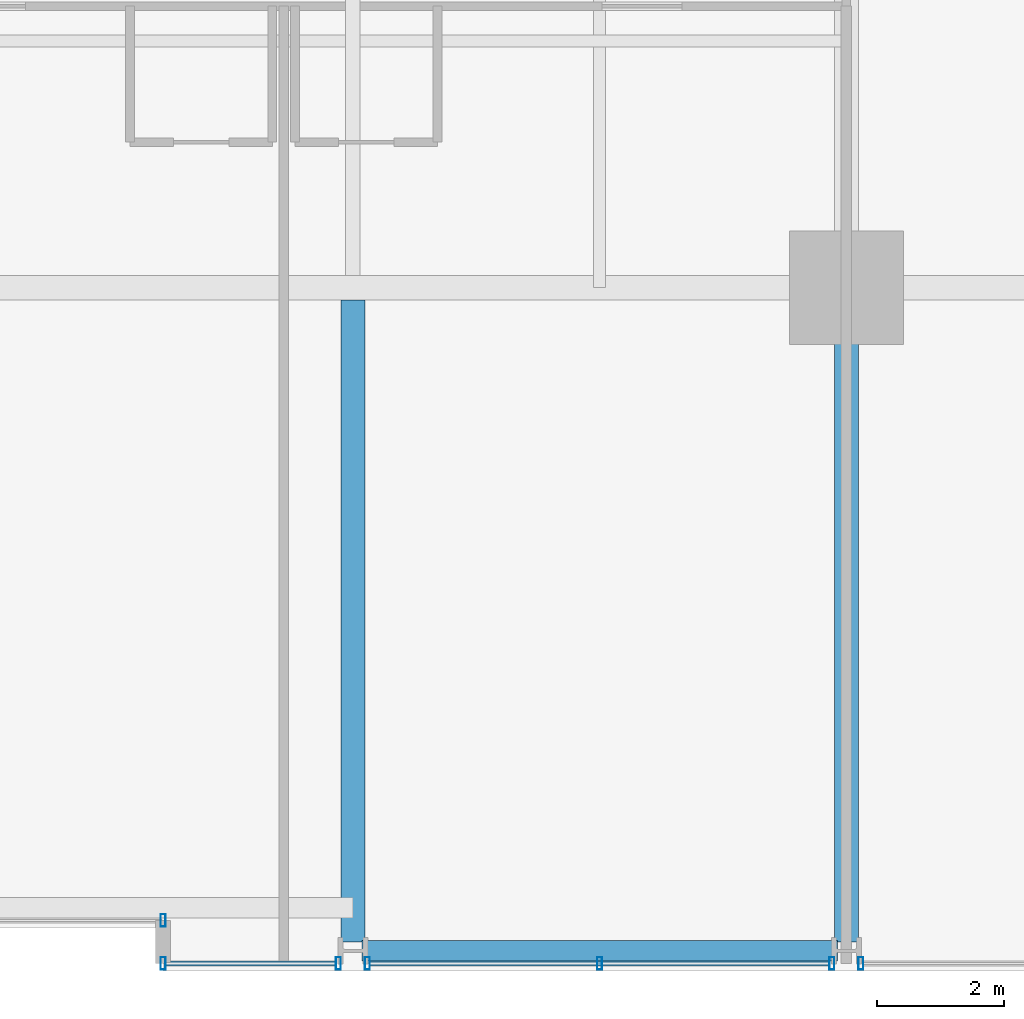
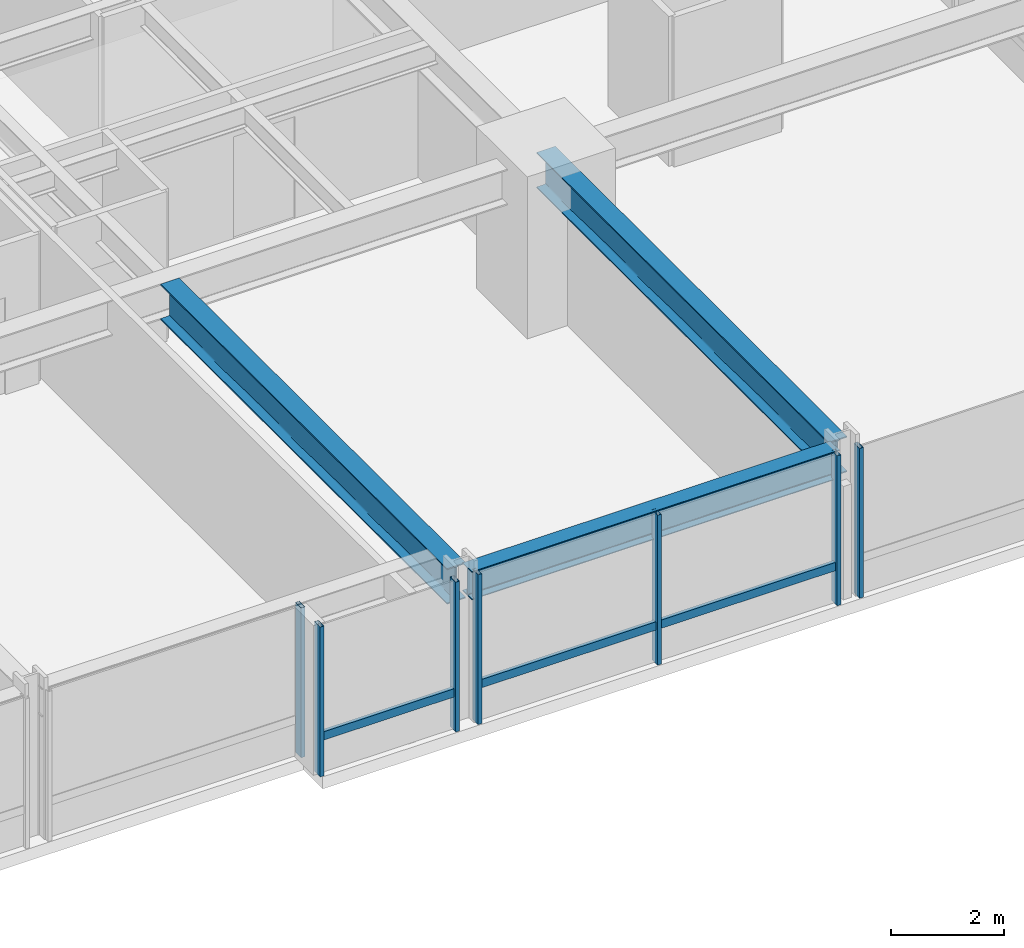
# One storey, part 11 of 37: 9 members, 3 beams, 4 elements without a shape of their own.
"""IFC4 building model written with IfcOpenShell, lengths in metres."""

from ifc_helpers import new_model, si_unit, direction, frame, origin, origin_2d, place, context, subcontext, project, spatial, hollow_rectangle, i_section, extrude, material, layer, layer_set, material_profile, profile_set, type_object, element, aggregate, save


model = new_model("IFC4")

# Units and contexts
model_context = context("Model", 3, precision=1e-05, world=origin(), true_north=direction((0.0, 1.0)))
body_context = subcontext(model_context, "Body", "Model", "MODEL_VIEW")
ifc_project = project(units=[si_unit("LENGTHUNIT", "METRE"), si_unit("AREAUNIT", "SQUARE_METRE"), si_unit("VOLUMEUNIT", "CUBIC_METRE"), si_unit("PLANEANGLEUNIT", "RADIAN"), si_unit("MASSUNIT", "GRAM", prefix="KILO")], contexts=[model_context])

# Site, building, storey
site_placement = place(None, origin())
site = spatial("IfcSite", under=ifc_project, at=site_placement, CompositionType="ELEMENT")
building_placement = place(site_placement, origin())
building = spatial("IfcBuilding", under=site, at=building_placement, Name="Drelvath Grand Hotel", CompositionType="ELEMENT")
storey_placement = place(building_placement, frame((0.0, 0.0, 75.199951171875)))
storey = spatial("IfcBuildingStorey", under=building, at=storey_placement, Name="L18", CompositionType="ELEMENT", Elevation=75.199951171875)

# Curtain wall, member
ifc_material_1 = material(Name="Warm Bronze Anodised Aluminium Frame", Category="aluminium")
ifc_layer = layer(ifc_material_1, 0.199951171875)
ifc_layer_set = layer_set([ifc_layer], Name="Warm Bronze Anodised Aluminium Frame")
curtain_wall_type = type_object("IfcCurtainWallType", Name="Stick Curtain Wall CW-02 Warm Bronze Low-Rise", PredefinedType="NOTDEFINED", material=ifc_layer_set)
curtain_wall_1_placement = place(storey_placement, origin())
curtain_wall_1 = element("IfcCurtainWall", 1, at=curtain_wall_1_placement, inside=storey, type_object=curtain_wall_type, Name="L18 CW-02 Curtain Wall CW02-L18-SE1", PredefinedType="NOTDEFINED")
ifc_material_profile_1 = material_profile(ifc_material_1, hollow_rectangle(XDim=0.074951171875, YDim=0.179931640625, WallThickness=0.0048828125, at=origin_2d()), Name="HSS180X75X5")
ifc_profile_set_1 = profile_set([ifc_material_profile_1], Name="Warm Bronze Anodised Aluminium Frame")
member_type_1 = type_object("IfcMemberType", Name="Curtain Wall Horizontal Transom CW-02 HSS180X75X5", PredefinedType="USERDEFINED", material=ifc_profile_set_1)
member_1_placement = place(storey_placement, frame((8.130859375, 0.1201171875, 0.81005859375), z_axis=(-1.0, 0.0, 0.0), x_axis=(0.0, -1.0, 0.0)))
member_1 = element("IfcMember", 2, at=member_1_placement, type_object=member_type_1, Name="CW02-L18-SE1 Sill Transom", ObjectType="TRANSOM", PredefinedType="USERDEFINED", context=body_context, shape_type="SweptSolid", body=[
    extrude(hollow_rectangle(XDim=0.074951171875, YDim=0.179931640625, WallThickness=0.0048828125, at=origin_2d()), origin(), (0.0, 0.0, 1.0), 2.69091796875),
])

curtain_wall_2_placement = place(storey_placement, origin())
curtain_wall_2 = element("IfcCurtainWall", 3, at=curtain_wall_2_placement, inside=storey, type_object=curtain_wall_type, Name="L18 CW-02 Curtain Wall CW02-L18-SE2", PredefinedType="NOTDEFINED")
member_2_placement = place(storey_placement, frame((15.930908203125, 0.1201171875, 0.81005859375), z_axis=(-1.0, 0.0, 0.0), x_axis=(0.0, -1.0, 0.0)))
member_2 = element("IfcMember", 4, at=member_2_placement, type_object=member_type_1, Name="CW02-L18-SE2 Sill Transom", ObjectType="TRANSOM", PredefinedType="USERDEFINED", context=body_context, shape_type="SweptSolid", body=[
    extrude(hollow_rectangle(XDim=0.074951171875, YDim=0.179931640625, WallThickness=0.0048828125, at=origin_2d()), origin(), (0.0, 0.0, 1.0), 7.26171875),
])

# Member
ifc_material_profile_2 = material_profile(ifc_material_1, hollow_rectangle(XDim=0.080078125, YDim=0.199951171875, WallThickness=0.0048828125, at=origin_2d()), Name="HSS200X80X5")
ifc_profile_set_2 = profile_set([ifc_material_profile_2], Name="Warm Bronze Anodised Aluminium Frame")
member_type_2 = type_object("IfcMemberType", Name="Curtain Wall Vertical Mullion CW-02 HSS200X80X5", PredefinedType="MULLION", material=ifc_profile_set_2)
member_3_placement = place(storey_placement, frame((8.1708984375, 0.1201171875, 0.0), z_axis=(0.0, 0.0, 1.0), x_axis=(1.0, 0.0, 0.0)))
member_3 = element("IfcMember", 5, at=member_3_placement, type_object=member_type_2, Name="CW02-L18-SE1 Mullion 1", PredefinedType="MULLION", context=body_context, shape_type="SweptSolid", body=[
    extrude(hollow_rectangle(XDim=0.080078125, YDim=0.199951171875, WallThickness=0.0048828125, at=origin_2d()), origin(), (0.0, 0.0, 1.0), 3.239990234375),
])

member_4_placement = place(storey_placement, frame((5.39990234375, 0.1201171875, 0.0), z_axis=(0.0, 0.0, 1.0), x_axis=(1.0, 0.0, 0.0)))
member_4 = element("IfcMember", 6, at=member_4_placement, type_object=member_type_2, Name="CW02-L18-SE1 Mullion 2", PredefinedType="MULLION", context=body_context, shape_type="SweptSolid", body=[
    extrude(hollow_rectangle(XDim=0.080078125, YDim=0.199951171875, WallThickness=0.0048828125, at=origin_2d()), origin(), (0.0, 0.0, 1.0), 3.239990234375),
])

aggregate(curtain_wall_1, [member_3, member_4, member_1])

member_5_placement = place(storey_placement, frame((15.970947265625, 0.1201171875, 0.0), z_axis=(0.0, 0.0, 1.0), x_axis=(1.0, 0.0, 0.0)))
member_5 = element("IfcMember", 7, at=member_5_placement, type_object=member_type_2, Name="CW02-L18-SE2 Mullion 1", PredefinedType="MULLION", context=body_context, shape_type="SweptSolid", body=[
    extrude(hollow_rectangle(XDim=0.080078125, YDim=0.199951171875, WallThickness=0.0048828125, at=origin_2d()), origin(), (0.0, 0.0, 1.0), 3.239990234375),
])

member_6_placement = place(storey_placement, frame((12.300048828125, 0.1201171875, 0.0), z_axis=(0.0, 0.0, 1.0), x_axis=(1.0, 0.0, 0.0)))
member_6 = element("IfcMember", 8, at=member_6_placement, type_object=member_type_2, Name="CW02-L18-SE2 Mullion 2", PredefinedType="MULLION", context=body_context, shape_type="SweptSolid", body=[
    extrude(hollow_rectangle(XDim=0.080078125, YDim=0.199951171875, WallThickness=0.0048828125, at=origin_2d()), origin(), (0.0, 0.0, 1.0), 3.239990234375),
])

member_7_placement = place(storey_placement, frame((8.629150390625, 0.1201171875, 0.0), z_axis=(0.0, 0.0, 1.0), x_axis=(1.0, 0.0, 0.0)))
member_7 = element("IfcMember", 9, at=member_7_placement, type_object=member_type_2, Name="CW02-L18-SE2 Mullion 3", PredefinedType="MULLION", context=body_context, shape_type="SweptSolid", body=[
    extrude(hollow_rectangle(XDim=0.080078125, YDim=0.199951171875, WallThickness=0.0048828125, at=origin_2d()), origin(), (0.0, 0.0, 1.0), 3.239990234375),
])

aggregate(curtain_wall_2, [member_5, member_6, member_7, member_2])

# Curtain wall, member
curtain_wall_3_placement = place(storey_placement, origin())
curtain_wall_3 = element("IfcCurtainWall", 10, at=curtain_wall_3_placement, inside=storey, type_object=curtain_wall_type, Name="L18 CW-02 Curtain Wall CW02-L18-SE3", PredefinedType="NOTDEFINED")
member_8_placement = place(storey_placement, frame((16.42919921875, 0.1201171875, 0.0), z_axis=(0.0, 0.0, 1.0), x_axis=(1.0, 0.0, 0.0)))
member_8 = element("IfcMember", 11, at=member_8_placement, type_object=member_type_2, Name="CW02-L18-SE3 Mullion 3", PredefinedType="MULLION", context=body_context, shape_type="SweptSolid", body=[
    extrude(hollow_rectangle(XDim=0.080078125, YDim=0.199951171875, WallThickness=0.0048828125, at=origin_2d()), origin(), (0.0, 0.0, 1.0), 3.239990234375),
])
aggregate(curtain_wall_3, [member_8])

curtain_wall_4_placement = place(storey_placement, origin())
curtain_wall_4 = element("IfcCurtainWall", 12, at=curtain_wall_4_placement, inside=storey, type_object=curtain_wall_type, Name="L18 CW-02 Curtain Wall CW02-L18-SM2", PredefinedType="NOTDEFINED")
member_9_placement = place(storey_placement, frame((5.39990234375, 0.800048828125, 0.0), z_axis=(0.0, 0.0, 1.0), x_axis=(1.0, 0.0, 0.0)))
member_9 = element("IfcMember", 13, at=member_9_placement, type_object=member_type_2, Name="CW02-L18-SM2 Mullion 1", PredefinedType="MULLION", context=body_context, shape_type="SweptSolid", body=[
    extrude(hollow_rectangle(XDim=0.080078125, YDim=0.199951171875, WallThickness=0.0048828125, at=origin_2d()), origin(), (0.0, 0.0, 1.0), 3.239990234375),
])
aggregate(curtain_wall_4, [member_9])

# Beams
ifc_material_2 = material(Name="Steel ASTM A992 Gr 50", Category="steel")
ifc_material_profile_3 = material_profile(ifc_material_2, i_section(OverallWidth=0.323974609375, OverallDepth=0.611083984375, WebThickness=0.0126953125, FlangeThickness=0.01904296875, FilletRadius=0.02197265625, at=origin_2d()), Name="W24X104")
ifc_profile_set_3 = profile_set([ifc_material_profile_3], Name="Steel ASTM A992 Gr 50")
beam_type_1 = type_object("IfcBeamType", Name="Perimeter Spandrel Beam W24X104", PredefinedType="SPANDREL", material=ifc_profile_set_3)
beam_1_placement = place(storey_placement, frame((8.5400390625, 0.320068359375, 2.9345703125), z_axis=(1.0, 0.0, 0.0), x_axis=(0.0, 1.0, 0.0)))
element("IfcBeam", 14, at=beam_1_placement, inside=storey, type_object=beam_type_1, Name="L18 Spandrel South E", PredefinedType="SPANDREL", context=body_context, shape_type="SweptSolid", body=[
    extrude(i_section(OverallWidth=0.323974609375, OverallDepth=0.611083984375, WebThickness=0.0126953125, FlangeThickness=0.01904296875, FilletRadius=0.02197265625, at=origin_2d()), origin(), (0.0, 0.0, 1.0), 7.52001953125),
])
ifc_material_profile_4 = material_profile(ifc_material_2, i_section(OverallWidth=0.380615234375, OverallDepth=0.773193359375, WebThickness=0.0166015625, FlangeThickness=0.027099609375, FilletRadius=0.02490234375, at=origin_2d()), Name="W30X173")
ifc_profile_set_4 = profile_set([ifc_material_profile_4], Name="Steel ASTM A992 Gr 50")
beam_type_2 = type_object("IfcBeamType", Name="Primary Floor Girder W30X173", PredefinedType="BEAM", material=ifc_profile_set_4)
beam_2_placement = place(storey_placement, frame((16.199951171875, 0.4599609375, 2.853515625), z_axis=(0.0, 1.0, 0.0), x_axis=(-1.0, 0.0, 0.0)))
element("IfcBeam", 15, at=beam_2_placement, inside=storey, type_object=beam_type_2, Name="L18 South Grid Girder 7", PredefinedType="BEAM", context=body_context, shape_type="SweptSolid", body=[
    extrude(i_section(OverallWidth=0.380615234375, OverallDepth=0.773193359375, WebThickness=0.0166015625, FlangeThickness=0.027099609375, FilletRadius=0.02490234375, at=origin_2d()), origin(), (0.0, 0.0, 1.0), 10.340087890625),
])
beam_3_placement = place(storey_placement, frame((8.39990234375, 0.4599609375, 2.853515625), z_axis=(0.0, 1.0, 0.0), x_axis=(-1.0, 0.0, 0.0)))
element("IfcBeam", 16, at=beam_3_placement, inside=storey, type_object=beam_type_2, Name="L18 South Wing Girder 6", PredefinedType="BEAM", context=body_context, shape_type="SweptSolid", body=[
    extrude(i_section(OverallWidth=0.380615234375, OverallDepth=0.773193359375, WebThickness=0.0166015625, FlangeThickness=0.027099609375, FilletRadius=0.02490234375, at=origin_2d()), origin(), (0.0, 0.0, 1.0), 10.149658203125),
])

save(model, "model.ifc")
